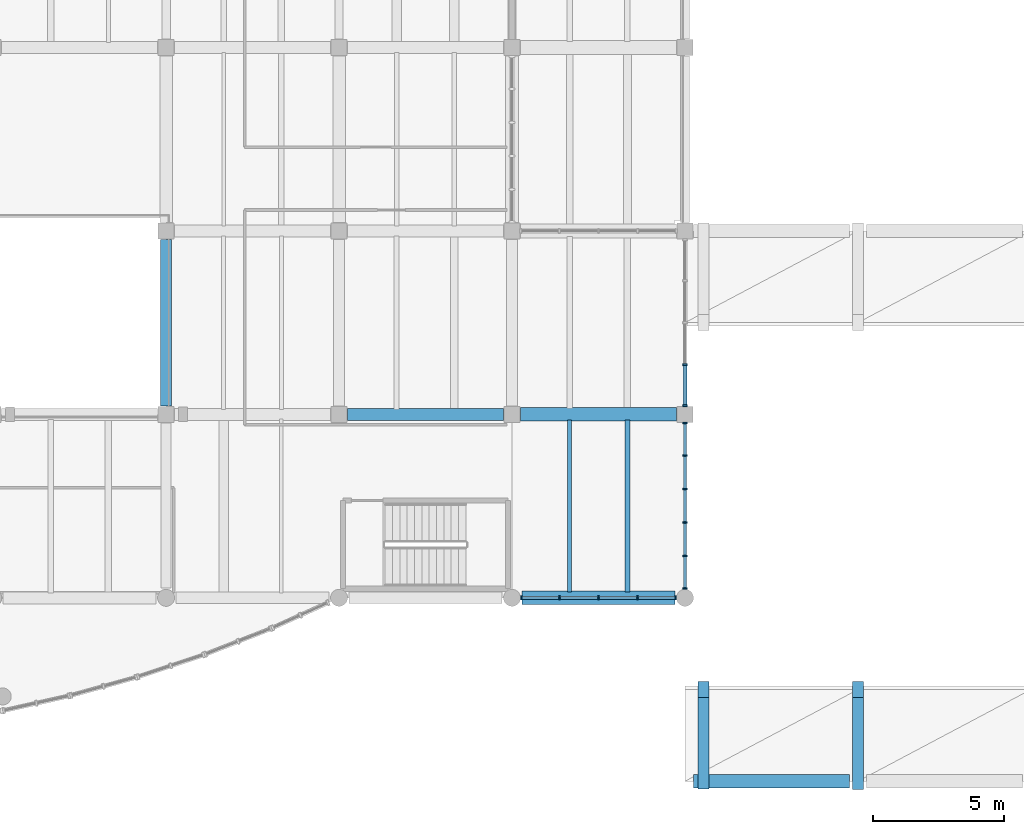
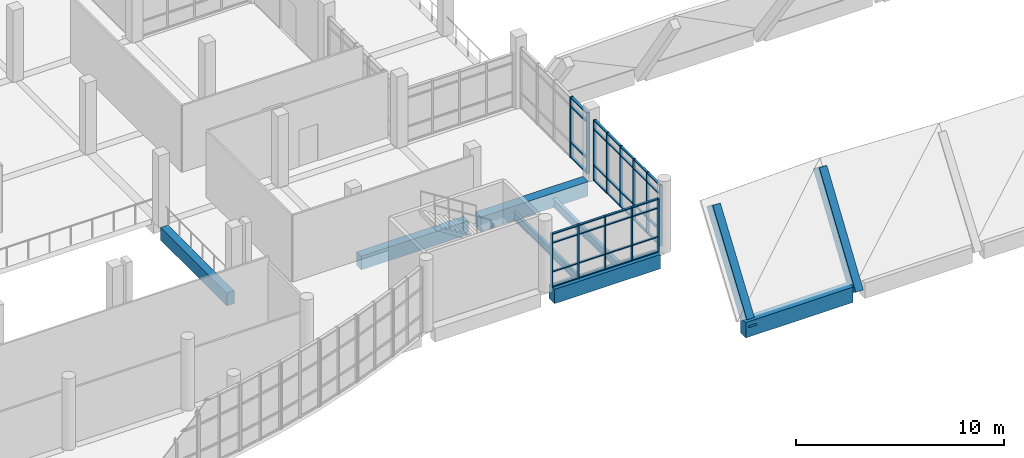
# One storey, part 14 of 67: 53 members, 9 beams, 3 elements without a shape of their own.
"""IFC4 building model written with IfcOpenShell, lengths in metres."""

from ifc_helpers import new_model, si_unit, direction, frame, origin, origin_2d, place, context, subcontext, project, spatial, rectangle, i_section, extrude, material, material_profile, profile_set, type_object, element, aggregate, save


model = new_model("IFC4")

# Units and contexts
model_context = context("Model", 3, precision=1e-05, world=origin(), true_north=direction((0.0, 1.0)))
body_context = subcontext(model_context, "Body", "Model", "MODEL_VIEW")
ifc_project = project(units=[si_unit("LENGTHUNIT", "METRE"), si_unit("AREAUNIT", "SQUARE_METRE"), si_unit("VOLUMEUNIT", "CUBIC_METRE"), si_unit("PLANEANGLEUNIT", "RADIAN"), si_unit("MASSUNIT", "GRAM", prefix="KILO")], contexts=[model_context])

# Site, building, storey
site_placement = place(None, origin())
site = spatial("IfcSite", under=ifc_project, at=site_placement, CompositionType="ELEMENT")
building_placement = place(site_placement, origin())
building = spatial("IfcBuilding", under=site, at=building_placement, Name="Ciguamira Faculty of Natural Sciences", CompositionType="ELEMENT")
storey_placement = place(building_placement, frame((0.0, 0.0, 8.39990234375)))
storey = spatial("IfcBuildingStorey", under=building, at=storey_placement, Name="L02", CompositionType="ELEMENT", Elevation=8.39990234375)

# Curtain wall, members
ifc_material_1 = material(Name="Anodized aluminium curtain wall", Category="aluminium")
curtain_wall_type_1 = type_object("IfcCurtainWallType", Name="CurtainWall_CW-07", PredefinedType="USERDEFINED", material=ifc_material_1)
curtain_wall_1_placement = place(storey_placement, origin())
curtain_wall_1 = element("IfcCurtainWall", 1, at=curtain_wall_1_placement, inside=storey, type_object=curtain_wall_type_1, Name="L02 unitised curtain wall 0055", ObjectType="UNITISED CURTAIN WALL", PredefinedType="USERDEFINED")
ifc_material_2 = material(Name="Anodized aluminium mullion", Category="aluminium")
ifc_material_profile_1 = material_profile(ifc_material_2, rectangle(XDim=0.06005859375, YDim=0.159912109375, at=origin_2d()), Name="ALU-MUL-60X160")
ifc_profile_set_1 = profile_set([ifc_material_profile_1], Name="Anodized aluminium mullion")
member_type_1 = type_object("IfcMemberType", Name="CWMullion_CWM-01", PredefinedType="MULLION", material=ifc_profile_set_1)
member_1_placement = place(storey_placement, frame((117.054931640625, 10.0, 0.0), z_axis=(0.0, 0.0, 1.0), x_axis=(1.0, 0.0, 0.0)))
member_1 = element("IfcMember", 2, at=member_1_placement, type_object=member_type_1, Name="CW-07 mullion 1", PredefinedType="MULLION", context=body_context, shape_type="SweptSolid", body=[
    extrude(rectangle(XDim=0.06005859375, YDim=0.159912109375, at=origin_2d()), origin(), (0.0, 0.0, 1.0), 3.135009765625),
])
member_2_placement = place(storey_placement, frame((118.512451171875, 10.0, 0.0), z_axis=(0.0, 0.0, 1.0), x_axis=(1.0, 0.0, 0.0)))
member_2 = element("IfcMember", 3, at=member_2_placement, type_object=member_type_1, Name="CW-07 mullion 2", PredefinedType="MULLION", context=body_context, shape_type="SweptSolid", body=[
    extrude(rectangle(XDim=0.06005859375, YDim=0.159912109375, at=origin_2d()), origin(), (0.0, 0.0, 1.0), 3.135009765625),
])
member_3_placement = place(storey_placement, frame((120.0, 10.0, 0.0), z_axis=(0.0, 0.0, 1.0), x_axis=(1.0, 0.0, 0.0)))
member_3 = element("IfcMember", 4, at=member_3_placement, type_object=member_type_1, Name="CW-07 mullion 3", PredefinedType="MULLION", context=body_context, shape_type="SweptSolid", body=[
    extrude(rectangle(XDim=0.06005859375, YDim=0.159912109375, at=origin_2d()), origin(), (0.0, 0.0, 1.0), 3.135009765625),
])
member_4_placement = place(storey_placement, frame((121.487548828125, 10.0, 0.0), z_axis=(0.0, 0.0, 1.0), x_axis=(1.0, 0.0, 0.0)))
member_4 = element("IfcMember", 5, at=member_4_placement, type_object=member_type_1, Name="CW-07 mullion 4", PredefinedType="MULLION", context=body_context, shape_type="SweptSolid", body=[
    extrude(rectangle(XDim=0.06005859375, YDim=0.159912109375, at=origin_2d()), origin(), (0.0, 0.0, 1.0), 3.135009765625),
])
member_5_placement = place(storey_placement, frame((122.945068359375, 10.0, 0.0), z_axis=(0.0, 0.0, 1.0), x_axis=(1.0, 0.0, 0.0)))
member_5 = element("IfcMember", 6, at=member_5_placement, type_object=member_type_1, Name="CW-07 mullion 5", PredefinedType="MULLION", context=body_context, shape_type="SweptSolid", body=[
    extrude(rectangle(XDim=0.06005859375, YDim=0.159912109375, at=origin_2d()), origin(), (0.0, 0.0, 1.0), 3.135009765625),
])

curtain_wall_2_placement = place(storey_placement, origin())
curtain_wall_2 = element("IfcCurtainWall", 7, at=curtain_wall_2_placement, inside=storey, type_object=curtain_wall_type_1, Name="L02 unitised curtain wall 0079", ObjectType="UNITISED CURTAIN WALL", PredefinedType="USERDEFINED")
member_6_placement = place(storey_placement, frame((123.300048828125, 10.35498046875, 0.0), z_axis=(0.0, 0.0, 1.0), x_axis=(0.0, 1.0, 0.0)))
member_6 = element("IfcMember", 8, at=member_6_placement, type_object=member_type_1, Name="CW-07 mullion 1", PredefinedType="MULLION", context=body_context, shape_type="SweptSolid", body=[
    extrude(rectangle(XDim=0.06005859375, YDim=0.159912109375, at=origin_2d()), origin(), (0.0, 0.0, 1.0), 3.565185546875),
])
member_7_placement = place(storey_placement, frame((123.300048828125, 11.60009765625, 0.0), z_axis=(0.0, 0.0, 1.0), x_axis=(0.0, 1.0, 0.0)))
member_7 = element("IfcMember", 9, at=member_7_placement, type_object=member_type_1, Name="CW-07 mullion 2", PredefinedType="MULLION", context=body_context, shape_type="SweptSolid", body=[
    extrude(rectangle(XDim=0.06005859375, YDim=0.159912109375, at=origin_2d()), origin(), (0.0, 0.0, 1.0), 3.565185546875),
])
member_8_placement = place(storey_placement, frame((123.300048828125, 12.875, 0.0), z_axis=(0.0, 0.0, 1.0), x_axis=(0.0, 1.0, 0.0)))
member_8 = element("IfcMember", 10, at=member_8_placement, type_object=member_type_1, Name="CW-07 mullion 3", PredefinedType="MULLION", context=body_context, shape_type="SweptSolid", body=[
    extrude(rectangle(XDim=0.06005859375, YDim=0.159912109375, at=origin_2d()), origin(), (0.0, 0.0, 1.0), 3.565185546875),
])
member_9_placement = place(storey_placement, frame((123.300048828125, 14.14990234375, 0.0), z_axis=(0.0, 0.0, 1.0), x_axis=(0.0, 1.0, 0.0)))
member_9 = element("IfcMember", 11, at=member_9_placement, type_object=member_type_1, Name="CW-07 mullion 4", PredefinedType="MULLION", context=body_context, shape_type="SweptSolid", body=[
    extrude(rectangle(XDim=0.06005859375, YDim=0.159912109375, at=origin_2d()), origin(), (0.0, 0.0, 1.0), 3.565185546875),
])
member_10_placement = place(storey_placement, frame((123.300048828125, 15.425048828125, 0.0), z_axis=(0.0, 0.0, 1.0), x_axis=(0.0, 1.0, 0.0)))
member_10 = element("IfcMember", 12, at=member_10_placement, type_object=member_type_1, Name="CW-07 mullion 5", PredefinedType="MULLION", context=body_context, shape_type="SweptSolid", body=[
    extrude(rectangle(XDim=0.06005859375, YDim=0.159912109375, at=origin_2d()), origin(), (0.0, 0.0, 1.0), 3.565185546875),
])
member_11_placement = place(storey_placement, frame((123.300048828125, 16.669921875, 0.0), z_axis=(0.0, 0.0, 1.0), x_axis=(0.0, 1.0, 0.0)))
member_11 = element("IfcMember", 13, at=member_11_placement, type_object=member_type_1, Name="CW-07 mullion 6", PredefinedType="MULLION", context=body_context, shape_type="SweptSolid", body=[
    extrude(rectangle(XDim=0.06005859375, YDim=0.159912109375, at=origin_2d()), origin(), (0.0, 0.0, 1.0), 3.565185546875),
])

curtain_wall_type_2 = type_object("IfcCurtainWallType", Name="CurtainWall_CW-08", PredefinedType="USERDEFINED", material=ifc_material_1)
curtain_wall_3_placement = place(storey_placement, origin())
curtain_wall_3 = element("IfcCurtainWall", 14, at=curtain_wall_3_placement, inside=storey, type_object=curtain_wall_type_2, Name="L02 unitised curtain wall 0080", ObjectType="UNITISED CURTAIN WALL", PredefinedType="USERDEFINED")
ifc_material_profile_2 = material_profile(ifc_material_2, rectangle(XDim=0.070068359375, YDim=0.179931640625, at=origin_2d()), Name="ALU-MUL-70X180")
ifc_profile_set_2 = profile_set([ifc_material_profile_2], Name="Anodized aluminium mullion")
member_type_2 = type_object("IfcMemberType", Name="CWMullion_CWM-02", PredefinedType="MULLION", material=ifc_profile_set_2)
member_12_placement = place(storey_placement, frame((123.300048828125, 17.3349609375, 0.0), z_axis=(0.0, 0.0, 1.0), x_axis=(0.0, 1.0, 0.0)))
member_12 = element("IfcMember", 15, at=member_12_placement, type_object=member_type_2, Name="CW-08 mullion 1", PredefinedType="MULLION", context=body_context, shape_type="SweptSolid", body=[
    extrude(rectangle(XDim=0.070068359375, YDim=0.179931640625, at=origin_2d()), origin(), (0.0, 0.0, 1.0), 3.565185546875),
])
member_13_placement = place(storey_placement, frame((123.300048828125, 18.89990234375, 0.0), z_axis=(0.0, 0.0, 1.0), x_axis=(0.0, 1.0, 0.0)))
member_13 = element("IfcMember", 16, at=member_13_placement, type_object=member_type_2, Name="CW-08 mullion 2", PredefinedType="MULLION", context=body_context, shape_type="SweptSolid", body=[
    extrude(rectangle(XDim=0.070068359375, YDim=0.179931640625, at=origin_2d()), origin(), (0.0, 0.0, 1.0), 3.565185546875),
])

# Member
ifc_material_3 = material(Name="Anodized aluminium transom", Category="aluminium")
ifc_material_profile_3 = material_profile(ifc_material_3, rectangle(XDim=0.06005859375, YDim=0.1201171875, at=origin_2d()), Name="ALU-TRN-60X120")
ifc_profile_set_3 = profile_set([ifc_material_profile_3], Name="Anodized aluminium transom")
member_type_3 = type_object("IfcMemberType", Name="CWTransom_CWT-01", PredefinedType="USERDEFINED", material=ifc_profile_set_3)
member_14_placement = place(storey_placement, frame((117.0849609375, 10.0, 0.030029296875), z_axis=(1.0, 0.0, 0.0), x_axis=(0.0, 0.0, 1.0)))
member_14 = element("IfcMember", 17, at=member_14_placement, type_object=member_type_3, Name="CW-07 transom 1.1", ObjectType="TRANSOM", PredefinedType="USERDEFINED", context=body_context, shape_type="SweptSolid", body=[
    extrude(rectangle(XDim=0.06005859375, YDim=0.1201171875, at=origin_2d()), origin(), (0.0, 0.0, 1.0), 1.3974609375),
])

member_15_placement = place(storey_placement, frame((117.0849609375, 10.0, 0.900146484375), z_axis=(1.0, 0.0, 0.0), x_axis=(0.0, 0.0, 1.0)))
member_15 = element("IfcMember", 18, at=member_15_placement, type_object=member_type_3, Name="CW-07 transom 1.2", ObjectType="TRANSOM", PredefinedType="USERDEFINED", context=body_context, shape_type="SweptSolid", body=[
    extrude(rectangle(XDim=0.06005859375, YDim=0.1201171875, at=origin_2d()), origin(), (0.0, 0.0, 1.0), 1.3974609375),
])

member_16_placement = place(storey_placement, frame((117.0849609375, 10.0, 2.585205078125), z_axis=(1.0, 0.0, 0.0), x_axis=(0.0, 0.0, 1.0)))
member_16 = element("IfcMember", 19, at=member_16_placement, type_object=member_type_3, Name="CW-07 transom 1.3", ObjectType="TRANSOM", PredefinedType="USERDEFINED", context=body_context, shape_type="SweptSolid", body=[
    extrude(rectangle(XDim=0.06005859375, YDim=0.1201171875, at=origin_2d()), origin(), (0.0, 0.0, 1.0), 1.3974609375),
])

member_17_placement = place(storey_placement, frame((117.0849609375, 10.0, 3.10498046875), z_axis=(1.0, 0.0, 0.0), x_axis=(0.0, 0.0, 1.0)))
member_17 = element("IfcMember", 20, at=member_17_placement, type_object=member_type_3, Name="CW-07 transom 1.4", ObjectType="TRANSOM", PredefinedType="USERDEFINED", context=body_context, shape_type="SweptSolid", body=[
    extrude(rectangle(XDim=0.06005859375, YDim=0.1201171875, at=origin_2d()), origin(), (0.0, 0.0, 1.0), 1.3974609375),
])

member_18_placement = place(storey_placement, frame((118.54248046875, 10.0, 0.030029296875), z_axis=(1.0, 0.0, 0.0), x_axis=(0.0, 0.0, 1.0)))
member_18 = element("IfcMember", 21, at=member_18_placement, type_object=member_type_3, Name="CW-07 transom 2.1", ObjectType="TRANSOM", PredefinedType="USERDEFINED", context=body_context, shape_type="SweptSolid", body=[
    extrude(rectangle(XDim=0.06005859375, YDim=0.1201171875, at=origin_2d()), origin(), (0.0, 0.0, 1.0), 1.427490234375),
])

member_19_placement = place(storey_placement, frame((118.54248046875, 10.0, 0.900146484375), z_axis=(1.0, 0.0, 0.0), x_axis=(0.0, 0.0, 1.0)))
member_19 = element("IfcMember", 22, at=member_19_placement, type_object=member_type_3, Name="CW-07 transom 2.2", ObjectType="TRANSOM", PredefinedType="USERDEFINED", context=body_context, shape_type="SweptSolid", body=[
    extrude(rectangle(XDim=0.06005859375, YDim=0.1201171875, at=origin_2d()), origin(), (0.0, 0.0, 1.0), 1.427490234375),
])

member_20_placement = place(storey_placement, frame((118.54248046875, 10.0, 2.585205078125), z_axis=(1.0, 0.0, 0.0), x_axis=(0.0, 0.0, 1.0)))
member_20 = element("IfcMember", 23, at=member_20_placement, type_object=member_type_3, Name="CW-07 transom 2.3", ObjectType="TRANSOM", PredefinedType="USERDEFINED", context=body_context, shape_type="SweptSolid", body=[
    extrude(rectangle(XDim=0.06005859375, YDim=0.1201171875, at=origin_2d()), origin(), (0.0, 0.0, 1.0), 1.427490234375),
])

member_21_placement = place(storey_placement, frame((118.54248046875, 10.0, 3.10498046875), z_axis=(1.0, 0.0, 0.0), x_axis=(0.0, 0.0, 1.0)))
member_21 = element("IfcMember", 24, at=member_21_placement, type_object=member_type_3, Name="CW-07 transom 2.4", ObjectType="TRANSOM", PredefinedType="USERDEFINED", context=body_context, shape_type="SweptSolid", body=[
    extrude(rectangle(XDim=0.06005859375, YDim=0.1201171875, at=origin_2d()), origin(), (0.0, 0.0, 1.0), 1.427490234375),
])

member_22_placement = place(storey_placement, frame((120.030029296875, 10.0, 0.030029296875), z_axis=(1.0, 0.0, 0.0), x_axis=(0.0, 0.0, 1.0)))
member_22 = element("IfcMember", 25, at=member_22_placement, type_object=member_type_3, Name="CW-07 transom 3.1", ObjectType="TRANSOM", PredefinedType="USERDEFINED", context=body_context, shape_type="SweptSolid", body=[
    extrude(rectangle(XDim=0.06005859375, YDim=0.1201171875, at=origin_2d()), origin(), (0.0, 0.0, 1.0), 1.427490234375),
])

member_23_placement = place(storey_placement, frame((120.030029296875, 10.0, 0.900146484375), z_axis=(1.0, 0.0, 0.0), x_axis=(0.0, 0.0, 1.0)))
member_23 = element("IfcMember", 26, at=member_23_placement, type_object=member_type_3, Name="CW-07 transom 3.2", ObjectType="TRANSOM", PredefinedType="USERDEFINED", context=body_context, shape_type="SweptSolid", body=[
    extrude(rectangle(XDim=0.06005859375, YDim=0.1201171875, at=origin_2d()), origin(), (0.0, 0.0, 1.0), 1.427490234375),
])

member_24_placement = place(storey_placement, frame((120.030029296875, 10.0, 2.585205078125), z_axis=(1.0, 0.0, 0.0), x_axis=(0.0, 0.0, 1.0)))
member_24 = element("IfcMember", 27, at=member_24_placement, type_object=member_type_3, Name="CW-07 transom 3.3", ObjectType="TRANSOM", PredefinedType="USERDEFINED", context=body_context, shape_type="SweptSolid", body=[
    extrude(rectangle(XDim=0.06005859375, YDim=0.1201171875, at=origin_2d()), origin(), (0.0, 0.0, 1.0), 1.427490234375),
])

member_25_placement = place(storey_placement, frame((120.030029296875, 10.0, 3.10498046875), z_axis=(1.0, 0.0, 0.0), x_axis=(0.0, 0.0, 1.0)))
member_25 = element("IfcMember", 28, at=member_25_placement, type_object=member_type_3, Name="CW-07 transom 3.4", ObjectType="TRANSOM", PredefinedType="USERDEFINED", context=body_context, shape_type="SweptSolid", body=[
    extrude(rectangle(XDim=0.06005859375, YDim=0.1201171875, at=origin_2d()), origin(), (0.0, 0.0, 1.0), 1.427490234375),
])

member_26_placement = place(storey_placement, frame((121.517578125, 10.0, 0.030029296875), z_axis=(1.0, 0.0, 0.0), x_axis=(0.0, 0.0, 1.0)))
member_26 = element("IfcMember", 29, at=member_26_placement, type_object=member_type_3, Name="CW-07 transom 4.1", ObjectType="TRANSOM", PredefinedType="USERDEFINED", context=body_context, shape_type="SweptSolid", body=[
    extrude(rectangle(XDim=0.06005859375, YDim=0.1201171875, at=origin_2d()), origin(), (0.0, 0.0, 1.0), 1.3974609375),
])

member_27_placement = place(storey_placement, frame((121.517578125, 10.0, 0.900146484375), z_axis=(1.0, 0.0, 0.0), x_axis=(0.0, 0.0, 1.0)))
member_27 = element("IfcMember", 30, at=member_27_placement, type_object=member_type_3, Name="CW-07 transom 4.2", ObjectType="TRANSOM", PredefinedType="USERDEFINED", context=body_context, shape_type="SweptSolid", body=[
    extrude(rectangle(XDim=0.06005859375, YDim=0.1201171875, at=origin_2d()), origin(), (0.0, 0.0, 1.0), 1.3974609375),
])

member_28_placement = place(storey_placement, frame((121.517578125, 10.0, 2.585205078125), z_axis=(1.0, 0.0, 0.0), x_axis=(0.0, 0.0, 1.0)))
member_28 = element("IfcMember", 31, at=member_28_placement, type_object=member_type_3, Name="CW-07 transom 4.3", ObjectType="TRANSOM", PredefinedType="USERDEFINED", context=body_context, shape_type="SweptSolid", body=[
    extrude(rectangle(XDim=0.06005859375, YDim=0.1201171875, at=origin_2d()), origin(), (0.0, 0.0, 1.0), 1.3974609375),
])

member_29_placement = place(storey_placement, frame((121.517578125, 10.0, 3.10498046875), z_axis=(1.0, 0.0, 0.0), x_axis=(0.0, 0.0, 1.0)))
member_29 = element("IfcMember", 32, at=member_29_placement, type_object=member_type_3, Name="CW-07 transom 4.4", ObjectType="TRANSOM", PredefinedType="USERDEFINED", context=body_context, shape_type="SweptSolid", body=[
    extrude(rectangle(XDim=0.06005859375, YDim=0.1201171875, at=origin_2d()), origin(), (0.0, 0.0, 1.0), 1.3974609375),
])

aggregate(curtain_wall_1, [member_1, member_2, member_3, member_4, member_5, member_14, member_15, member_16, member_17, member_18, member_19, member_20, member_21, member_22, member_23, member_24, member_25, member_26, member_27, member_28, member_29])

member_30_placement = place(storey_placement, frame((123.300048828125, 10.385009765625, 0.030029296875), z_axis=(0.0, 1.0, 0.0), x_axis=(0.0, 0.0, 1.0)))
member_30 = element("IfcMember", 33, at=member_30_placement, type_object=member_type_3, Name="CW-07 transom 1.1", ObjectType="TRANSOM", PredefinedType="USERDEFINED", context=body_context, shape_type="SweptSolid", body=[
    extrude(rectangle(XDim=0.06005859375, YDim=0.1201171875, at=origin_2d()), origin(), (0.0, 0.0, 1.0), 1.18505859375),
])

member_31_placement = place(storey_placement, frame((123.300048828125, 10.385009765625, 0.900146484375), z_axis=(0.0, 1.0, 0.0), x_axis=(0.0, 0.0, 1.0)))
member_31 = element("IfcMember", 34, at=member_31_placement, type_object=member_type_3, Name="CW-07 transom 1.2", ObjectType="TRANSOM", PredefinedType="USERDEFINED", context=body_context, shape_type="SweptSolid", body=[
    extrude(rectangle(XDim=0.06005859375, YDim=0.1201171875, at=origin_2d()), origin(), (0.0, 0.0, 1.0), 1.18505859375),
])

member_32_placement = place(storey_placement, frame((123.300048828125, 10.385009765625, 3.01513671875), z_axis=(0.0, 1.0, 0.0), x_axis=(0.0, 0.0, 1.0)))
member_32 = element("IfcMember", 35, at=member_32_placement, type_object=member_type_3, Name="CW-07 transom 1.3", ObjectType="TRANSOM", PredefinedType="USERDEFINED", context=body_context, shape_type="SweptSolid", body=[
    extrude(rectangle(XDim=0.06005859375, YDim=0.1201171875, at=origin_2d()), origin(), (0.0, 0.0, 1.0), 1.18505859375),
])

member_33_placement = place(storey_placement, frame((123.300048828125, 10.385009765625, 3.53515625), z_axis=(0.0, 1.0, 0.0), x_axis=(0.0, 0.0, 1.0)))
member_33 = element("IfcMember", 36, at=member_33_placement, type_object=member_type_3, Name="CW-07 transom 1.4", ObjectType="TRANSOM", PredefinedType="USERDEFINED", context=body_context, shape_type="SweptSolid", body=[
    extrude(rectangle(XDim=0.06005859375, YDim=0.1201171875, at=origin_2d()), origin(), (0.0, 0.0, 1.0), 1.18505859375),
])

member_34_placement = place(storey_placement, frame((123.300048828125, 11.6298828125, 0.030029296875), z_axis=(0.0, 1.0, 0.0), x_axis=(0.0, 0.0, 1.0)))
member_34 = element("IfcMember", 37, at=member_34_placement, type_object=member_type_3, Name="CW-07 transom 2.1", ObjectType="TRANSOM", PredefinedType="USERDEFINED", context=body_context, shape_type="SweptSolid", body=[
    extrude(rectangle(XDim=0.06005859375, YDim=0.1201171875, at=origin_2d()), origin(), (0.0, 0.0, 1.0), 1.215087890625),
])

member_35_placement = place(storey_placement, frame((123.300048828125, 11.6298828125, 0.900146484375), z_axis=(0.0, 1.0, 0.0), x_axis=(0.0, 0.0, 1.0)))
member_35 = element("IfcMember", 38, at=member_35_placement, type_object=member_type_3, Name="CW-07 transom 2.2", ObjectType="TRANSOM", PredefinedType="USERDEFINED", context=body_context, shape_type="SweptSolid", body=[
    extrude(rectangle(XDim=0.06005859375, YDim=0.1201171875, at=origin_2d()), origin(), (0.0, 0.0, 1.0), 1.215087890625),
])

member_36_placement = place(storey_placement, frame((123.300048828125, 11.6298828125, 3.01513671875), z_axis=(0.0, 1.0, 0.0), x_axis=(0.0, 0.0, 1.0)))
member_36 = element("IfcMember", 39, at=member_36_placement, type_object=member_type_3, Name="CW-07 transom 2.3", ObjectType="TRANSOM", PredefinedType="USERDEFINED", context=body_context, shape_type="SweptSolid", body=[
    extrude(rectangle(XDim=0.06005859375, YDim=0.1201171875, at=origin_2d()), origin(), (0.0, 0.0, 1.0), 1.215087890625),
])

member_37_placement = place(storey_placement, frame((123.300048828125, 11.6298828125, 3.53515625), z_axis=(0.0, 1.0, 0.0), x_axis=(0.0, 0.0, 1.0)))
member_37 = element("IfcMember", 40, at=member_37_placement, type_object=member_type_3, Name="CW-07 transom 2.4", ObjectType="TRANSOM", PredefinedType="USERDEFINED", context=body_context, shape_type="SweptSolid", body=[
    extrude(rectangle(XDim=0.06005859375, YDim=0.1201171875, at=origin_2d()), origin(), (0.0, 0.0, 1.0), 1.215087890625),
])

member_38_placement = place(storey_placement, frame((123.300048828125, 12.905029296875, 0.030029296875), z_axis=(0.0, 1.0, 0.0), x_axis=(0.0, 0.0, 1.0)))
member_38 = element("IfcMember", 41, at=member_38_placement, type_object=member_type_3, Name="CW-07 transom 3.1", ObjectType="TRANSOM", PredefinedType="USERDEFINED", context=body_context, shape_type="SweptSolid", body=[
    extrude(rectangle(XDim=0.06005859375, YDim=0.1201171875, at=origin_2d()), origin(), (0.0, 0.0, 1.0), 1.215087890625),
])

member_39_placement = place(storey_placement, frame((123.300048828125, 12.905029296875, 0.900146484375), z_axis=(0.0, 1.0, 0.0), x_axis=(0.0, 0.0, 1.0)))
member_39 = element("IfcMember", 42, at=member_39_placement, type_object=member_type_3, Name="CW-07 transom 3.2", ObjectType="TRANSOM", PredefinedType="USERDEFINED", context=body_context, shape_type="SweptSolid", body=[
    extrude(rectangle(XDim=0.06005859375, YDim=0.1201171875, at=origin_2d()), origin(), (0.0, 0.0, 1.0), 1.215087890625),
])

member_40_placement = place(storey_placement, frame((123.300048828125, 12.905029296875, 3.01513671875), z_axis=(0.0, 1.0, 0.0), x_axis=(0.0, 0.0, 1.0)))
member_40 = element("IfcMember", 43, at=member_40_placement, type_object=member_type_3, Name="CW-07 transom 3.3", ObjectType="TRANSOM", PredefinedType="USERDEFINED", context=body_context, shape_type="SweptSolid", body=[
    extrude(rectangle(XDim=0.06005859375, YDim=0.1201171875, at=origin_2d()), origin(), (0.0, 0.0, 1.0), 1.215087890625),
])

member_41_placement = place(storey_placement, frame((123.300048828125, 12.905029296875, 3.53515625), z_axis=(0.0, 1.0, 0.0), x_axis=(0.0, 0.0, 1.0)))
member_41 = element("IfcMember", 44, at=member_41_placement, type_object=member_type_3, Name="CW-07 transom 3.4", ObjectType="TRANSOM", PredefinedType="USERDEFINED", context=body_context, shape_type="SweptSolid", body=[
    extrude(rectangle(XDim=0.06005859375, YDim=0.1201171875, at=origin_2d()), origin(), (0.0, 0.0, 1.0), 1.215087890625),
])

member_42_placement = place(storey_placement, frame((123.300048828125, 14.179931640625, 0.030029296875), z_axis=(0.0, 1.0, 0.0), x_axis=(0.0, 0.0, 1.0)))
member_42 = element("IfcMember", 45, at=member_42_placement, type_object=member_type_3, Name="CW-07 transom 4.1", ObjectType="TRANSOM", PredefinedType="USERDEFINED", context=body_context, shape_type="SweptSolid", body=[
    extrude(rectangle(XDim=0.06005859375, YDim=0.1201171875, at=origin_2d()), origin(), (0.0, 0.0, 1.0), 1.215087890625),
])

member_43_placement = place(storey_placement, frame((123.300048828125, 14.179931640625, 0.900146484375), z_axis=(0.0, 1.0, 0.0), x_axis=(0.0, 0.0, 1.0)))
member_43 = element("IfcMember", 46, at=member_43_placement, type_object=member_type_3, Name="CW-07 transom 4.2", ObjectType="TRANSOM", PredefinedType="USERDEFINED", context=body_context, shape_type="SweptSolid", body=[
    extrude(rectangle(XDim=0.06005859375, YDim=0.1201171875, at=origin_2d()), origin(), (0.0, 0.0, 1.0), 1.215087890625),
])

member_44_placement = place(storey_placement, frame((123.300048828125, 14.179931640625, 3.01513671875), z_axis=(0.0, 1.0, 0.0), x_axis=(0.0, 0.0, 1.0)))
member_44 = element("IfcMember", 47, at=member_44_placement, type_object=member_type_3, Name="CW-07 transom 4.3", ObjectType="TRANSOM", PredefinedType="USERDEFINED", context=body_context, shape_type="SweptSolid", body=[
    extrude(rectangle(XDim=0.06005859375, YDim=0.1201171875, at=origin_2d()), origin(), (0.0, 0.0, 1.0), 1.215087890625),
])

member_45_placement = place(storey_placement, frame((123.300048828125, 14.179931640625, 3.53515625), z_axis=(0.0, 1.0, 0.0), x_axis=(0.0, 0.0, 1.0)))
member_45 = element("IfcMember", 48, at=member_45_placement, type_object=member_type_3, Name="CW-07 transom 4.4", ObjectType="TRANSOM", PredefinedType="USERDEFINED", context=body_context, shape_type="SweptSolid", body=[
    extrude(rectangle(XDim=0.06005859375, YDim=0.1201171875, at=origin_2d()), origin(), (0.0, 0.0, 1.0), 1.215087890625),
])

member_46_placement = place(storey_placement, frame((123.300048828125, 15.455078125, 0.030029296875), z_axis=(0.0, 1.0, 0.0), x_axis=(0.0, 0.0, 1.0)))
member_46 = element("IfcMember", 49, at=member_46_placement, type_object=member_type_3, Name="CW-07 transom 5.1", ObjectType="TRANSOM", PredefinedType="USERDEFINED", context=body_context, shape_type="SweptSolid", body=[
    extrude(rectangle(XDim=0.06005859375, YDim=0.1201171875, at=origin_2d()), origin(), (0.0, 0.0, 1.0), 1.184814453125),
])

member_47_placement = place(storey_placement, frame((123.300048828125, 15.455078125, 0.900146484375), z_axis=(0.0, 1.0, 0.0), x_axis=(0.0, 0.0, 1.0)))
member_47 = element("IfcMember", 50, at=member_47_placement, type_object=member_type_3, Name="CW-07 transom 5.2", ObjectType="TRANSOM", PredefinedType="USERDEFINED", context=body_context, shape_type="SweptSolid", body=[
    extrude(rectangle(XDim=0.06005859375, YDim=0.1201171875, at=origin_2d()), origin(), (0.0, 0.0, 1.0), 1.184814453125),
])

member_48_placement = place(storey_placement, frame((123.300048828125, 15.455078125, 3.01513671875), z_axis=(0.0, 1.0, 0.0), x_axis=(0.0, 0.0, 1.0)))
member_48 = element("IfcMember", 51, at=member_48_placement, type_object=member_type_3, Name="CW-07 transom 5.3", ObjectType="TRANSOM", PredefinedType="USERDEFINED", context=body_context, shape_type="SweptSolid", body=[
    extrude(rectangle(XDim=0.06005859375, YDim=0.1201171875, at=origin_2d()), origin(), (0.0, 0.0, 1.0), 1.184814453125),
])

member_49_placement = place(storey_placement, frame((123.300048828125, 15.455078125, 3.53515625), z_axis=(0.0, 1.0, 0.0), x_axis=(0.0, 0.0, 1.0)))
member_49 = element("IfcMember", 52, at=member_49_placement, type_object=member_type_3, Name="CW-07 transom 5.4", ObjectType="TRANSOM", PredefinedType="USERDEFINED", context=body_context, shape_type="SweptSolid", body=[
    extrude(rectangle(XDim=0.06005859375, YDim=0.1201171875, at=origin_2d()), origin(), (0.0, 0.0, 1.0), 1.184814453125),
])

aggregate(curtain_wall_2, [member_6, member_7, member_8, member_9, member_10, member_11, member_30, member_31, member_32, member_33, member_34, member_35, member_36, member_37, member_38, member_39, member_40, member_41, member_42, member_43, member_44, member_45, member_46, member_47, member_48, member_49])

ifc_material_profile_4 = material_profile(ifc_material_3, rectangle(XDim=0.070068359375, YDim=0.139892578125, at=origin_2d()), Name="ALU-TRN-70X140")
ifc_profile_set_4 = profile_set([ifc_material_profile_4], Name="Anodized aluminium transom")
member_type_4 = type_object("IfcMemberType", Name="CWTransom_CWT-02", PredefinedType="USERDEFINED", material=ifc_profile_set_4)
member_50_placement = place(storey_placement, frame((123.300048828125, 17.3701171875, 0.03515625), z_axis=(0.0, 1.0, 0.0), x_axis=(0.0, 0.0, 1.0)))
member_50 = element("IfcMember", 53, at=member_50_placement, type_object=member_type_4, Name="CW-08 transom 1.1", ObjectType="TRANSOM", PredefinedType="USERDEFINED", context=body_context, shape_type="SweptSolid", body=[
    extrude(rectangle(XDim=0.070068359375, YDim=0.139892578125, at=origin_2d()), origin(), (0.0, 0.0, 1.0), 1.494873046875),
])

member_51_placement = place(storey_placement, frame((123.300048828125, 17.3701171875, 0.900146484375), z_axis=(0.0, 1.0, 0.0), x_axis=(0.0, 0.0, 1.0)))
member_51 = element("IfcMember", 54, at=member_51_placement, type_object=member_type_4, Name="CW-08 transom 1.2", ObjectType="TRANSOM", PredefinedType="USERDEFINED", context=body_context, shape_type="SweptSolid", body=[
    extrude(rectangle(XDim=0.070068359375, YDim=0.139892578125, at=origin_2d()), origin(), (0.0, 0.0, 1.0), 1.494873046875),
])

member_52_placement = place(storey_placement, frame((123.300048828125, 17.3701171875, 3.01513671875), z_axis=(0.0, 1.0, 0.0), x_axis=(0.0, 0.0, 1.0)))
member_52 = element("IfcMember", 55, at=member_52_placement, type_object=member_type_4, Name="CW-08 transom 1.3", ObjectType="TRANSOM", PredefinedType="USERDEFINED", context=body_context, shape_type="SweptSolid", body=[
    extrude(rectangle(XDim=0.070068359375, YDim=0.139892578125, at=origin_2d()), origin(), (0.0, 0.0, 1.0), 1.494873046875),
])

member_53_placement = place(storey_placement, frame((123.300048828125, 17.3701171875, 3.530029296875), z_axis=(0.0, 1.0, 0.0), x_axis=(0.0, 0.0, 1.0)))
member_53 = element("IfcMember", 56, at=member_53_placement, type_object=member_type_4, Name="CW-08 transom 1.4", ObjectType="TRANSOM", PredefinedType="USERDEFINED", context=body_context, shape_type="SweptSolid", body=[
    extrude(rectangle(XDim=0.070068359375, YDim=0.139892578125, at=origin_2d()), origin(), (0.0, 0.0, 1.0), 1.494873046875),
])

aggregate(curtain_wall_3, [member_12, member_13, member_50, member_51, member_52, member_53])

# Beams
ifc_material_4 = material(Name="Concrete C40/50", Category="concrete")
ifc_material_profile_5 = material_profile(ifc_material_4, rectangle(XDim=0.5, YDim=0.89990234375, at=origin_2d()), Name="RC-BM-500X900")
ifc_profile_set_5 = profile_set([ifc_material_profile_5], Name="Concrete C40/50")
beam_type_1 = type_object("IfcBeamType", Name="RCBeam_BG-03_RC-BM-500X900", PredefinedType="BEAM", material=ifc_profile_set_5)
beam_1_placement = place(storey_placement, frame((123.625, 3.0, -0.449951171875), z_axis=(1.0, 0.0, 0.0), x_axis=(0.0, 1.0, 0.0)))
element("IfcBeam", 57, at=beam_1_placement, inside=storey, type_object=beam_type_1, Name="V1 shell visible RC edge tie beam S-01", PredefinedType="BEAM", context=body_context, shape_type="SweptSolid", body=[
    extrude(rectangle(XDim=0.5, YDim=0.89990234375, at=origin_2d()), origin(), (0.0, 0.0, 1.0), 5.949951171875),
])
ifc_material_profile_6 = material_profile(ifc_material_4, rectangle(XDim=0.449951171875, YDim=0.800048828125, at=origin_2d()), Name="RC-BM-450X800")
ifc_profile_set_6 = profile_set([ifc_material_profile_6], Name="Concrete C40/50")
beam_type_2 = type_object("IfcBeamType", Name="RCBeam_BG-05_RC-BM-450X800", PredefinedType="BEAM", material=ifc_profile_set_6)
beam_2_placement = place(storey_placement, frame((110.425048828125, 17.0, -0.39990234375), z_axis=(1.0, 0.0, 0.0), x_axis=(0.0, 1.0, 0.0)))
element("IfcBeam", 58, at=beam_2_placement, inside=storey, type_object=beam_type_2, Name="L02 RC girder EW-0746", PredefinedType="BEAM", context=body_context, shape_type="SweptSolid", body=[
    extrude(rectangle(XDim=0.449951171875, YDim=0.800048828125, at=origin_2d()), origin(), (0.0, 0.0, 1.0), 5.949951171875),
])
ifc_material_profile_7 = material_profile(ifc_material_4, rectangle(XDim=0.419921875, YDim=0.739990234375, at=origin_2d()), Name="RC-BM-420X740")
ifc_profile_set_7 = profile_set([ifc_material_profile_7], Name="Concrete C40/50")
beam_type_3 = type_object("IfcBeamType", Name="RCBeam_BG-07_RC-BM-420X740", PredefinedType="BEAM", material=ifc_profile_set_7)
beam_3_placement = place(storey_placement, frame((103.5, 17.324951171875, -0.369873046875), z_axis=(0.0, 1.0, 0.0), x_axis=(-1.0, 0.0, 0.0)))
element("IfcBeam", 59, at=beam_3_placement, inside=storey, type_object=beam_type_3, Name="L02 girder NS-0976", PredefinedType="BEAM", context=body_context, shape_type="SweptSolid", body=[
    extrude(rectangle(XDim=0.419921875, YDim=0.739990234375, at=origin_2d()), origin(), (0.0, 0.0, 1.0), 6.35009765625),
])
beam_4_placement = place(storey_placement, frame((124.0, 3.0, -0.52978515625), z_axis=(0.0, 0.571120514103, 0.820866224406), x_axis=(-1.0, 0.0, 0.0)))
element("IfcBeam", 60, at=beam_4_placement, inside=storey, type_object=beam_type_3, Name="V1 shell RC arch rib 01-01", PredefinedType="BEAM", context=body_context, shape_type="SweptSolid", body=[
    extrude(rectangle(XDim=0.419921875, YDim=0.739990234375, at=origin_2d()), origin(), (0.0, 0.0, 1.0), 6.12841796875),
])
beam_5_placement = place(storey_placement, frame((129.89990234375, 3.0, -0.52978515625), z_axis=(0.0, 0.559880600697, 0.828573299692), x_axis=(-1.0, 0.0, 0.0)))
element("IfcBeam", 61, at=beam_5_placement, inside=storey, type_object=beam_type_3, Name="V1 shell RC arch rib 02-01", PredefinedType="BEAM", context=body_context, shape_type="SweptSolid", body=[
    extrude(rectangle(XDim=0.419921875, YDim=0.739990234375, at=origin_2d()), origin(), (0.0, 0.0, 1.0), 6.251220703125),
])
ifc_material_profile_8 = material_profile(ifc_material_4, rectangle(XDim=0.52001953125, YDim=0.840087890625, at=origin_2d()), Name="RC-TB-520X840")
ifc_profile_set_8 = profile_set([ifc_material_profile_8], Name="Concrete C40/50")
beam_type_4 = type_object("IfcBeamType", Name="RCBeam_TB-02_RC-TB-520X840", PredefinedType="T_BEAM", material=ifc_profile_set_8)
beam_6_placement = place(storey_placement, frame((117.074951171875, 10.0, -0.419921875), z_axis=(1.0, 0.0, 0.0), x_axis=(0.0, 1.0, 0.0)))
element("IfcBeam", 62, at=beam_6_placement, inside=storey, type_object=beam_type_4, Name="L02 RC girder EW-0729", PredefinedType="T_BEAM", context=body_context, shape_type="SweptSolid", body=[
    extrude(rectangle(XDim=0.52001953125, YDim=0.840087890625, at=origin_2d()), origin(), (0.0, 0.0, 1.0), 5.85009765625),
])
beam_7_placement = place(storey_placement, frame((117.02490234375, 17.0, -0.419921875), z_axis=(1.0, 0.0, 0.0), x_axis=(0.0, 1.0, 0.0)))
element("IfcBeam", 63, at=beam_7_placement, inside=storey, type_object=beam_type_4, Name="L02 RC girder EW-0747", PredefinedType="T_BEAM", context=body_context, shape_type="SweptSolid", body=[
    extrude(rectangle(XDim=0.52001953125, YDim=0.840087890625, at=origin_2d()), origin(), (0.0, 0.0, 1.0), 5.9501953125),
])
ifc_material_5 = material(Name="Steel ASTM A992 Grade 50", Category="steel")
ifc_material_profile_9 = material_profile(ifc_material_5, i_section(OverallWidth=0.15283203125, OverallDepth=0.45458984375, WebThickness=0.008056640625, FlangeThickness=0.013427734375, at=origin_2d()), Name="W18X40")
ifc_profile_set_9 = profile_set([ifc_material_profile_9], Name="Steel ASTM A992 Grade 50")
beam_type_5 = type_object("IfcBeamType", Name="SteelJoist_SJ-22_W18X40", PredefinedType="JOIST", material=ifc_profile_set_9)
beam_8_placement = place(storey_placement, frame((118.89990234375, 10.219970703125, -0.527099609375), z_axis=(0.0, 1.0, 0.0), x_axis=(-1.0, 0.0, 0.0)))
element("IfcBeam", 64, at=beam_8_placement, inside=storey, type_object=beam_type_5, Name="L02 composite steel joist 00949", PredefinedType="JOIST", context=body_context, shape_type="SweptSolid", body=[
    extrude(i_section(OverallWidth=0.15283203125, OverallDepth=0.45458984375, WebThickness=0.008056640625, FlangeThickness=0.013427734375, at=origin_2d()), origin(), (0.0, 0.0, 1.0), 6.56005859375),
])
ifc_material_profile_10 = material_profile(ifc_material_5, i_section(OverallWidth=0.1904296875, OverallDepth=0.457275390625, WebThickness=0.009033203125, FlangeThickness=0.014404296875, at=origin_2d()), Name="W18X50")
ifc_profile_set_10 = profile_set([ifc_material_profile_10], Name="Steel ASTM A992 Grade 50")
beam_type_6 = type_object("IfcBeamType", Name="SteelJoist_SJ-23_W18X50", PredefinedType="JOIST", material=ifc_profile_set_10)
beam_9_placement = place(storey_placement, frame((121.10009765625, 10.219970703125, -0.528564453125), z_axis=(0.0, 1.0, 0.0), x_axis=(-1.0, 0.0, 0.0)))
element("IfcBeam", 65, at=beam_9_placement, inside=storey, type_object=beam_type_6, Name="L02 composite steel joist 00950", PredefinedType="JOIST", context=body_context, shape_type="SweptSolid", body=[
    extrude(i_section(OverallWidth=0.1904296875, OverallDepth=0.457275390625, WebThickness=0.009033203125, FlangeThickness=0.014404296875, at=origin_2d()), origin(), (0.0, 0.0, 1.0), 6.56005859375),
])

save(model, "model.ifc")
